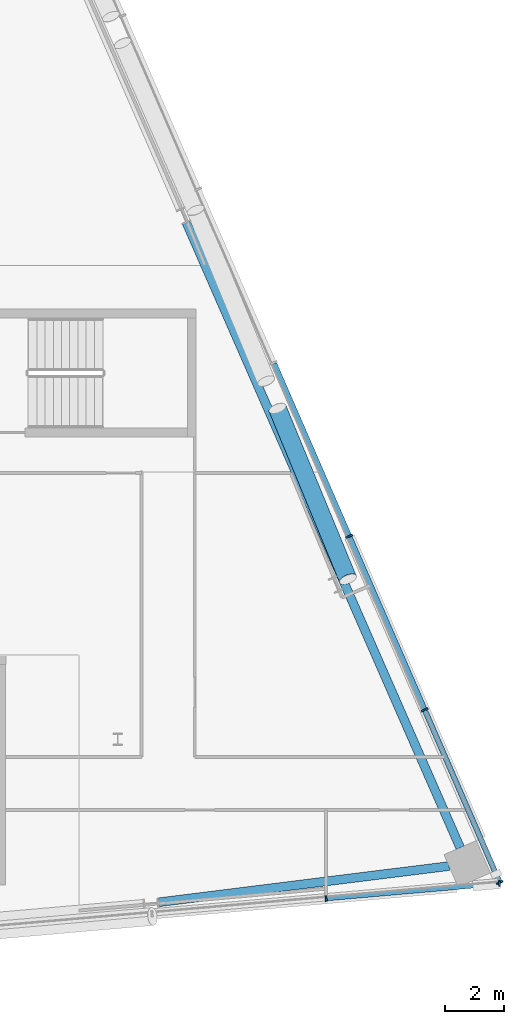
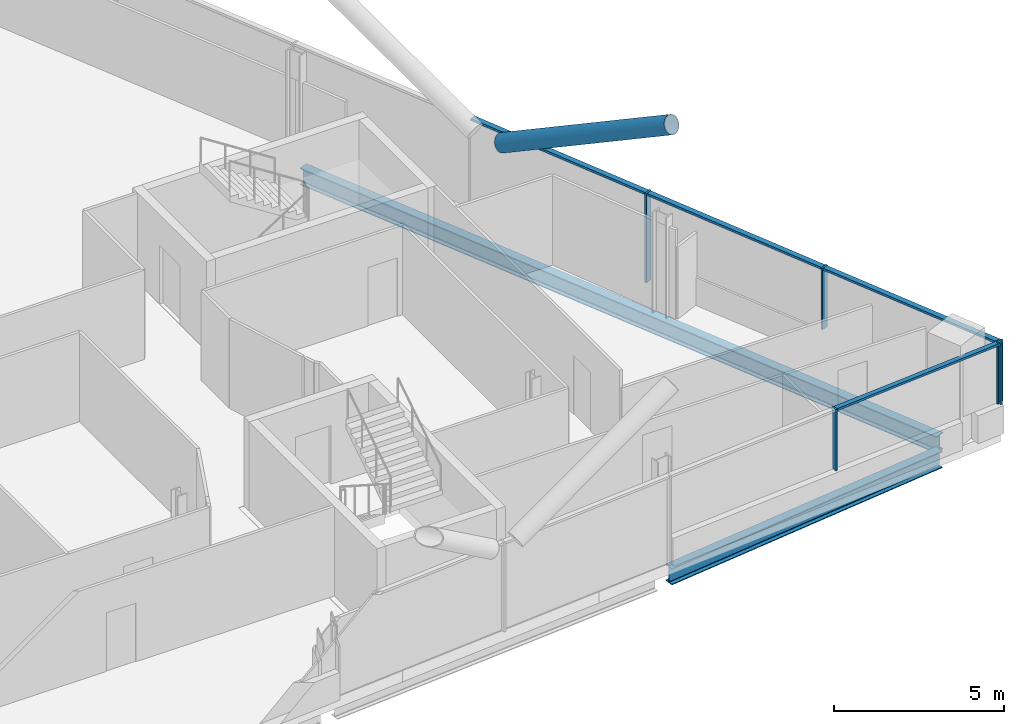
# One storey, part 12 of 27: 10 members, 2 beams, 2 elements without a shape of their own.
"""IFC4 building model written with IfcOpenShell, lengths in metres."""

import ifcopenshell
import ifcopenshell.guid

model = None  # the IFC model being written
_history = None  # IfcOwnerHistory: only IFC2X3 demands one
_inside = {}  # id of a spatial element -> (the spatial element, [elements in it])
_under = {}  # id of a project, library or spatial element -> (it, [spatial elements below it])
_declared = {}  # id of a project -> (the project, [libraries it declares])
_typed = {}  # id of a type object -> (the type object, [elements of that type])
_made_of = {}  # id of a material, layer set ... -> (it, [elements and type objects made of it])


def new_model(schema):
    """Start an empty IFC model of exactly this schema.

    Asked for "IFC4X3", IfcOpenShell would pick the latest addendum, in which some entities
    have other attributes; the version numbers below select the first issue.
    IFC2X3 requires an IfcOwnerHistory on every rooted entity: one is made here for all.
    """
    global model, _history
    if schema == "IFC4X3":
        model = ifcopenshell.file(schema_version=(4, 3, 0, 0))
    else:
        model = ifcopenshell.file(schema=schema)
    _inside.clear()
    _under.clear()
    _declared.clear()
    _typed.clear()
    _made_of.clear()
    _history = None
    if model.schema == "IFC2X3":
        org = make("IfcOrganization", Name="unknown")
        user = make(
            "IfcPersonAndOrganization",
            ThePerson=make("IfcPerson", FamilyName="unknown"),
            TheOrganization=org,
        )
        app = make(
            "IfcApplication",
            ApplicationDeveloper=org,
            Version="unknown",
            ApplicationFullName="unknown",
            ApplicationIdentifier="unknown",
        )
        _history = make(
            "IfcOwnerHistory",
            OwningUser=user,
            OwningApplication=app,
            ChangeAction="ADDED",
            CreationDate=0,
        )
    return model


def make(cls, **values):
    """One entity of the class cls with the attributes given. An attribute that is None is left unset."""
    return model.create_entity(
        cls, **{name: value for name, value in values.items() if value is not None}
    )


def rooted(cls, **values):
    """An entity with a GlobalId (a new one), such as an element, a storey or a relation."""
    return make(cls, GlobalId=ifcopenshell.guid.new(), OwnerHistory=_history, **values)


def si_unit(unit_type, name, prefix=None):
    """IfcSIUnit, for example si_unit("LENGTHUNIT", "METRE", prefix="MILLI")."""
    return make("IfcSIUnit", UnitType=unit_type, Prefix=prefix, Name=name)


def assignment(units):
    """IfcUnitAssignment: the units of a project."""
    return None if units is None else make("IfcUnitAssignment", Units=units)


def point(xyz):
    """IfcCartesianPoint."""
    return None if xyz is None else make("IfcCartesianPoint", Coordinates=xyz)


def direction(xyz):
    """IfcDirection."""
    return None if xyz is None else make("IfcDirection", DirectionRatios=xyz)


def frame(location, z_axis=None, x_axis=None):
    """IfcAxis2Placement3D, a coordinate frame: its origin and axes. An axis left out is left unset."""
    return make(
        "IfcAxis2Placement3D",
        Location=point(location),
        Axis=direction(z_axis),
        RefDirection=direction(x_axis),
    )


def frame_2d(location, x_axis=None):
    """IfcAxis2Placement2D, a coordinate frame in the plane: its origin and x axis."""
    return make(
        "IfcAxis2Placement2D", Location=point(location), RefDirection=direction(x_axis)
    )


def origin():
    """The frame at (0, 0, 0) with its axes left unset."""
    return frame((0.0, 0.0, 0.0))


def origin_2d():
    """The frame at (0, 0) in the plane with its x axis left unset."""
    return frame_2d((0.0, 0.0))


def place(relative_to, where):
    """IfcLocalPlacement: puts the frame where relative to a parent placement (None: the world)."""
    return make(
        "IfcLocalPlacement", PlacementRelTo=relative_to, RelativePlacement=where
    )


def context(
    kind, dimensions, precision=None, world=None, true_north=None, identifier=None
):
    """IfcGeometricRepresentationContext, for example the 3D "Model" context."""
    return make(
        "IfcGeometricRepresentationContext",
        ContextIdentifier=identifier,
        ContextType=kind,
        CoordinateSpaceDimension=dimensions,
        Precision=precision,
        WorldCoordinateSystem=world,
        TrueNorth=true_north,
    )


def subcontext(parent, identifier, kind, view, scale=None):
    """IfcGeometricRepresentationSubContext, for example "Body" below "Model"."""
    return make(
        "IfcGeometricRepresentationSubContext",
        ContextIdentifier=identifier,
        ContextType=kind,
        ParentContext=parent,
        TargetScale=scale,
        TargetView=view,
    )


def project(units=None, contexts=None):
    """IfcProject with its units and contexts."""
    return rooted(
        "IfcProject",
        Name="project",
        RepresentationContexts=contexts,
        UnitsInContext=assignment(units),
    )


def spatial(cls, under=None, at=None, **own):
    """A site, building, storey or space (cls), placed at a placement, below another one or the project."""
    s = rooted(cls, ObjectPlacement=at, **own)
    if under is not None:
        _under.setdefault(under.id(), (under, []))[1].append(s)
    return s


def profile(cls, at=None, kind="AREA", **sizes):
    """A parametric profile (cls). Its sizes go by their IFC names, for example OverallWidth=200.0."""
    return make(cls, ProfileType=kind, Position=at, **sizes)


def rectangle(**sizes):
    """IfcRectangleProfileDef."""
    return profile("IfcRectangleProfileDef", **sizes)


def hollow_circle(**sizes):
    """IfcCircleHollowProfileDef."""
    return profile("IfcCircleHollowProfileDef", **sizes)


def i_section(**sizes):
    """IfcIShapeProfileDef."""
    return profile("IfcIShapeProfileDef", **sizes)


def extrude(swept, where, along, depth):
    """IfcExtrudedAreaSolid: the profile swept, set in the frame where, extruded along a direction by depth."""
    return make(
        "IfcExtrudedAreaSolid",
        SweptArea=swept,
        Position=where,
        ExtrudedDirection=direction(along),
        Depth=depth,
    )


def shape(context_of_items, identifier, shape_type, items):
    """IfcShapeRepresentation: the items that make up one representation, for example the "Body"."""
    return make(
        "IfcShapeRepresentation",
        ContextOfItems=context_of_items,
        RepresentationIdentifier=identifier,
        RepresentationType=shape_type,
        Items=items,
    )


def material(Name=None, Category=None):
    """IfcMaterial."""
    return make("IfcMaterial", Name=Name, Category=Category)


def material_profile(
    of_material, cross_section, Name=None, Category=None, Priority=None
):
    """IfcMaterialProfile: a cross section and its material."""
    return make(
        "IfcMaterialProfile",
        Name=Name,
        Material=of_material,
        Profile=cross_section,
        Priority=Priority,
        Category=Category,
    )


def profile_set(profiles, Name=None, composite=None):
    """IfcMaterialProfileSet."""
    return make(
        "IfcMaterialProfileSet",
        Name=Name,
        MaterialProfiles=profiles,
        CompositeProfile=composite,
    )


def made_of(thing, what):
    """Note that an element or type object is made of a material, layer set ...; save() writes the relation."""
    if what is not None:
        _made_of.setdefault(what.id(), (what, []))[1].append(thing)
    return thing


def type_object(cls, material=None, **own):
    """A type object (cls), such as IfcWallType, which elements share."""
    return made_of(rooted(cls, **own), material)


def element(
    cls,
    number,
    at=None,
    inside=None,
    cuts=None,
    type_object=None,
    material=None,
    context=None,
    identifier="Body",
    shape_type=None,
    held_by="IfcProductDefinitionShape",
    body=None,
    shapes=None,
    **own,
):
    """One element of the class cls, such as IfcWall. Its Tag is "e" and its number.

    at: its placement. inside: the storey or other place that contains it. cuts: it is an
    opening in that element (IfcRelVoidsElement). A single representation is given by context,
    identifier, shape_type and body (its items); several are given by shapes. held_by: the class
    of the entity that holds the representations. save() writes the other relations.
    """
    e = rooted(cls, Tag="e%d" % number, ObjectPlacement=at, **own)
    if body is not None:
        shapes = [shape(context, identifier, shape_type, body)]
    if shapes is not None:
        e.Representation = make(held_by, Representations=shapes)
    if inside is not None:
        _inside.setdefault(inside.id(), (inside, []))[1].append(e)
    if cuts is not None:
        rooted(
            "IfcRelVoidsElement", RelatingBuildingElement=cuts, RelatedOpeningElement=e
        )
    if type_object is not None:
        _typed.setdefault(type_object.id(), (type_object, []))[1].append(e)
    return made_of(e, material)


def aggregate(whole, parts):
    """IfcRelAggregates: a whole, such as a stair, and the parts it consists of."""
    return rooted("IfcRelAggregates", RelatingObject=whole, RelatedObjects=parts)


def save(model, path):
    """Write the relations noted so far, then the file.

    IfcRelAggregates (storeys below a building ...), IfcRelContainedInSpatialStructure (elements
    in a storey), IfcRelDefinesByType, IfcRelAssociatesMaterial and IfcRelDeclares: one each for
    every whole, place, type object, material and project.
    """
    for whole, parts in _under.values():
        aggregate(whole, parts)
    for where, things in _inside.values():
        rooted(
            "IfcRelContainedInSpatialStructure",
            RelatedElements=things,
            RelatingStructure=where,
        )
    for kind, things in _typed.values():
        rooted("IfcRelDefinesByType", RelatedObjects=things, RelatingType=kind)
    for what, things in _made_of.values():
        rooted("IfcRelAssociatesMaterial", RelatedObjects=things, RelatingMaterial=what)
    for by, libraries in _declared.values():
        rooted("IfcRelDeclares", RelatingContext=by, RelatedDefinitions=libraries)
    model.write(path)


model = new_model("IFC4")

# Units and contexts
model_context = context("Model", 3, precision=1e-05, world=origin(), true_north=direction((0.0, 1.0)))
body_context = subcontext(model_context, "Body", "Model", "MODEL_VIEW")
ifc_project = project(units=[si_unit("LENGTHUNIT", "METRE"), si_unit("AREAUNIT", "SQUARE_METRE"), si_unit("VOLUMEUNIT", "CUBIC_METRE"), si_unit("PLANEANGLEUNIT", "RADIAN"), si_unit("MASSUNIT", "GRAM", prefix="KILO")], contexts=[model_context])

# Site, building, storey
site_placement = place(None, origin())
site = spatial("IfcSite", under=ifc_project, at=site_placement, CompositionType="ELEMENT")
building_placement = place(site_placement, origin())
building = spatial("IfcBuilding", under=site, at=building_placement, Name="Wharfspan Tower", CompositionType="ELEMENT")
storey_placement = place(building_placement, frame((0.0, 0.0, 243.100098)))
storey = spatial("IfcBuildingStorey", under=building, at=storey_placement, Name="L61", CompositionType="ELEMENT", Elevation=243.100098)

# Beams
ifc_material_1 = material(Name="Steel S355J2", Category="steel")
ifc_material_profile_1 = material_profile(ifc_material_1, i_section(OverallWidth=0.300049, OverallDepth=0.600098, WebThickness=0.015381, FlangeThickness=0.030029, FilletRadius=0.0271, at=origin_2d()))
ifc_profile_set_1 = profile_set([ifc_material_profile_1], Name="Steel S355J2")
beam_type = type_object("IfcBeamType", Name="Edge beam HEB 600", PredefinedType="SPANDREL", material=ifc_profile_set_1)
beam_1_placement = place(storey_placement, frame((73.391602, 5.955322, -0.700195), z_axis=(0.992301, 0.123848, 0.0), x_axis=(-0.123848, 0.992301, 0.0)))
element("IfcBeam", 1, at=beam_1_placement, inside=storey, type_object=beam_type, Name="Edge beam S2 L61 PS2.2 to MC4", PredefinedType="SPANDREL", context=body_context, shape_type="SweptSolid", body=[
    extrude(i_section(OverallWidth=0.300049, OverallDepth=0.600098, WebThickness=0.015381, FlangeThickness=0.030029, FilletRadius=0.0271, at=origin_2d()), origin(), (0.0, 0.0, 1.0), 9.951172),
])
beam_2_placement = place(storey_placement, frame((83.643799, 7.810547, -0.700195), z_axis=(-0.401141, 0.916016, 0.0), x_axis=(-0.916016, -0.401141, 0.0)))
element("IfcBeam", 2, at=beam_2_placement, inside=storey, type_object=beam_type, Name="Edge beam E L61 MC4 to PE.2", PredefinedType="SPANDREL", context=body_context, shape_type="SweptSolid", body=[
    extrude(i_section(OverallWidth=0.300049, OverallDepth=0.600098, WebThickness=0.015381, FlangeThickness=0.030029, FilletRadius=0.0271, at=origin_2d()), origin(), (0.0, 0.0, 1.0), 23.196045),
])

# Curtain wall, members
ifc_material_2 = material(Name="Aluminium 6063-T6", Category="aluminium")
curtain_wall_type_1 = type_object("IfcCurtainWallType", Name="CURTAIN WALL FACETED FRONT", PredefinedType="NOTDEFINED", material=ifc_material_2)
curtain_wall_1_placement = place(storey_placement, origin())
curtain_wall_1 = element("IfcCurtainWall", 3, at=curtain_wall_1_placement, inside=storey, type_object=curtain_wall_type_1, Name="Curtain wall S2", PredefinedType="NOTDEFINED")
ifc_material_profile_2 = material_profile(ifc_material_2, rectangle(XDim=0.199951, YDim=0.060059, at=origin_2d()))
ifc_profile_set_2 = profile_set([ifc_material_profile_2], Name="Aluminium 6063-T6")
member_type_1 = type_object("IfcMemberType", Name="MULLION FACETED FRONT 60x200", PredefinedType="MULLION", material=ifc_profile_set_2)
member_1_placement = place(storey_placement, frame((79.083252, 6.082275, 1.0), z_axis=(0.0, 0.0, 1.0), x_axis=(-0.087156, 0.996197, 0.0)))
member_1 = element("IfcMember", 4, at=member_1_placement, type_object=member_type_1, Name="Curtain wall S2 mullion 6", PredefinedType="MULLION", context=body_context, shape_type="SweptSolid", body=[
    extrude(rectangle(XDim=0.199951, YDim=0.060059, at=origin_2d()), origin(), (0.0, 0.0, 1.0), 2.199951),
])
member_2_placement = place(storey_placement, frame((84.970215, 6.597412, 1.0), z_axis=(0.0, 0.0, 1.0), x_axis=(-0.087156, 0.996197, 0.0)))
member_2 = element("IfcMember", 5, at=member_2_placement, type_object=member_type_1, Name="Curtain wall S2 mullion 7", PredefinedType="MULLION", context=body_context, shape_type="SweptSolid", body=[
    extrude(rectangle(XDim=0.199951, YDim=0.060059, at=origin_2d()), origin(), (0.0, 0.0, 1.0), 2.199951),
])

curtain_wall_type_2 = type_object("IfcCurtainWallType", Name="CURTAIN WALL PROW AND END", PredefinedType="NOTDEFINED", material=ifc_material_2)
curtain_wall_2_placement = place(storey_placement, origin())
curtain_wall_2 = element("IfcCurtainWall", 6, at=curtain_wall_2_placement, inside=storey, type_object=curtain_wall_type_2, Name="Curtain wall E", PredefinedType="NOTDEFINED")
ifc_material_profile_3 = material_profile(ifc_material_2, rectangle(XDim=0.23999, YDim=0.060059, at=origin_2d()))
ifc_profile_set_3 = profile_set([ifc_material_profile_3], Name="Aluminium 6063-T6")
member_type_2 = type_object("IfcMemberType", Name="MULLION PROW AND END 60x240", PredefinedType="MULLION", material=ifc_profile_set_3)
member_3_placement = place(storey_placement, frame((84.988037, 6.627441, 1.0), z_axis=(0.0, 0.0, 1.0), x_axis=(-0.917072, -0.398727, 0.0)))
member_3 = element("IfcMember", 7, at=member_3_placement, type_object=member_type_2, Name="Curtain wall E mullion 1", PredefinedType="MULLION", context=body_context, shape_type="SweptSolid", body=[
    extrude(rectangle(XDim=0.23999, YDim=0.060059, at=origin_2d()), origin(), (0.0, 0.0, 1.0), 2.199951),
])
member_4_placement = place(storey_placement, frame((82.434814, 12.5, 1.0), z_axis=(0.0, 0.0, 1.0), x_axis=(-0.917072, -0.398727, 0.0)))
member_4 = element("IfcMember", 8, at=member_4_placement, type_object=member_type_2, Name="Curtain wall E mullion 2", PredefinedType="MULLION", context=body_context, shape_type="SweptSolid", body=[
    extrude(rectangle(XDim=0.23999, YDim=0.060059, at=origin_2d()), origin(), (0.0, 0.0, 1.0), 2.199951),
])
member_5_placement = place(storey_placement, frame((79.869629, 18.399902, 0.0), z_axis=(0.0, 0.0, 1.0), x_axis=(-0.917072, -0.398727, 0.0)))
member_5 = element("IfcMember", 9, at=member_5_placement, type_object=member_type_2, Name="Curtain wall E mullion 3", PredefinedType="MULLION", context=body_context, shape_type="SweptSolid", body=[
    extrude(rectangle(XDim=0.23999, YDim=0.060059, at=origin_2d()), origin(), (0.0, 0.0, 1.0), 3.199951),
])

# Member
ifc_material_3 = material(Name="Steel S460NH", Category="steel")
ifc_material_profile_4 = material_profile(ifc_material_3, hollow_circle(Radius=0.304932, WallThickness=0.024902, at=origin_2d()))
ifc_profile_set_4 = profile_set([ifc_material_profile_4], Name="Steel S460NH")
member_type_3 = type_object("IfcMemberType", Name="Mega brace CHS 610x25", PredefinedType="BRACE", material=ifc_profile_set_4)
member_6_placement = place(storey_placement, frame((77.431885, 22.744141, 3.167236), z_axis=(0.337042, -0.816355, 0.469007), x_axis=(0.924324, 0.381616, -4e-06)))
element("IfcMember", 10, at=member_6_placement, inside=storey, type_object=member_type_3, Name="Mega brace E5 L61 part 4", PredefinedType="BRACE", context=body_context, shape_type="SweptSolid", body=[
    extrude(hollow_circle(Radius=0.304932, WallThickness=0.024902, at=origin_2d()), origin(), (0.0, 0.0, 1.0), 7.105957),
])

ifc_material_profile_5 = material_profile(ifc_material_2, rectangle(XDim=0.159912, YDim=0.080078, at=origin_2d()))
ifc_profile_set_5 = profile_set([ifc_material_profile_5], Name="Aluminium 6063-T6")
member_type_4 = type_object("IfcMemberType", Name="TRANSOM FACETED FRONT 80x160", PredefinedType="USERDEFINED", material=ifc_profile_set_5)
member_7_placement = place(storey_placement, frame((79.113281, 6.084961, 3.159912), z_axis=(0.996195, 0.087152, 0.0), x_axis=(-0.087152, 0.996195, 0.0)))
member_7 = element("IfcMember", 11, at=member_7_placement, type_object=member_type_4, Name="Curtain wall S2 transom 6", ObjectType="TRANSOM", PredefinedType="USERDEFINED", context=body_context, shape_type="SweptSolid", body=[
    extrude(rectangle(XDim=0.159912, YDim=0.080078, at=origin_2d()), origin(), (0.0, 0.0, 1.0), 5.849121),
])

aggregate(curtain_wall_1, [member_1, member_2, member_7])

ifc_material_profile_6 = material_profile(ifc_material_2, rectangle(XDim=0.179932, YDim=0.080078, at=origin_2d()))
ifc_profile_set_6 = profile_set([ifc_material_profile_6], Name="Aluminium 6063-T6")
member_type_5 = type_object("IfcMemberType", Name="TRANSOM PROW AND END 80x180", PredefinedType="USERDEFINED", material=ifc_profile_set_6)
member_8_placement = place(storey_placement, frame((84.976074, 6.655029, 3.159912), z_axis=(-0.398726, 0.91707, 0.0), x_axis=(-0.91707, -0.398726, 0.0)))
member_8 = element("IfcMember", 12, at=member_8_placement, type_object=member_type_5, Name="Curtain wall E transom 1", ObjectType="TRANSOM", PredefinedType="USERDEFINED", context=body_context, shape_type="SweptSolid", body=[
    extrude(rectangle(XDim=0.179932, YDim=0.080078, at=origin_2d()), origin(), (0.0, 0.0, 1.0), 6.343506),
])

member_9_placement = place(storey_placement, frame((82.422852, 12.527588, 3.159912), z_axis=(-0.398722, 0.917072, 0.0), x_axis=(-0.917072, -0.398722, 0.0)))
member_9 = element("IfcMember", 13, at=member_9_placement, type_object=member_type_5, Name="Curtain wall E transom 2", ObjectType="TRANSOM", PredefinedType="USERDEFINED", context=body_context, shape_type="SweptSolid", body=[
    extrude(rectangle(XDim=0.179932, YDim=0.080078, at=origin_2d()), origin(), (0.0, 0.0, 1.0), 6.373535),
])

member_10_placement = place(storey_placement, frame((79.857666, 18.42749, 3.159912), z_axis=(-0.398722, 0.917072, 0.0), x_axis=(-0.917072, -0.398722, 0.0)))
member_10 = element("IfcMember", 14, at=member_10_placement, type_object=member_type_5, Name="Curtain wall E transom 3", ObjectType="TRANSOM", PredefinedType="USERDEFINED", context=body_context, shape_type="SweptSolid", body=[
    extrude(rectangle(XDim=0.179932, YDim=0.080078, at=origin_2d()), origin(), (0.0, 0.0, 1.0), 6.373535),
])

aggregate(curtain_wall_2, [member_3, member_4, member_5, member_8, member_9, member_10])

save(model, "model.ifc")
